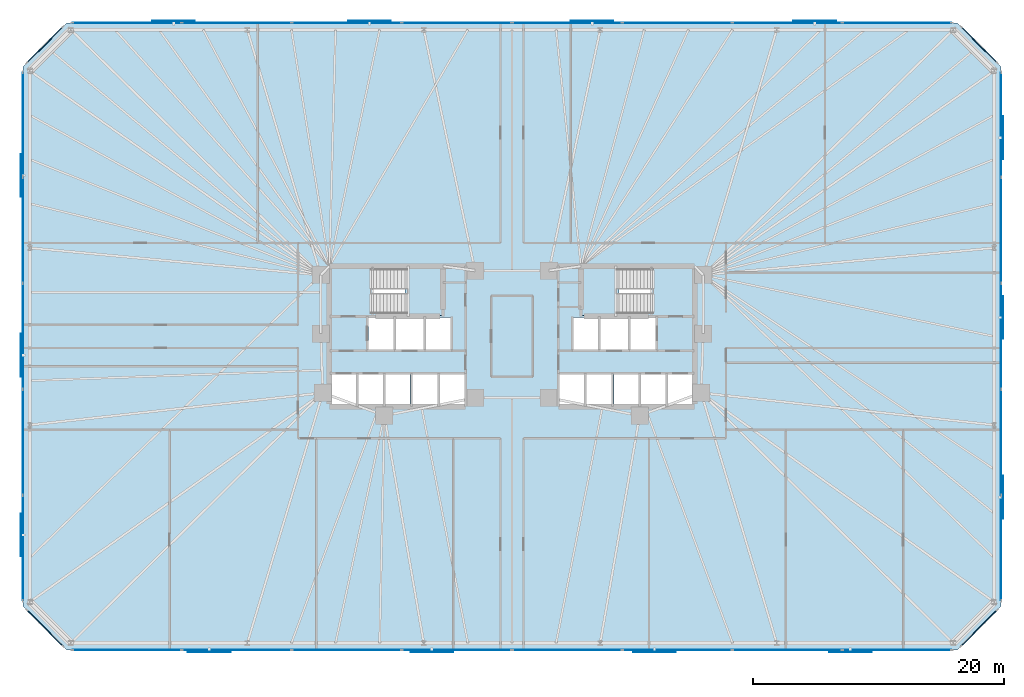
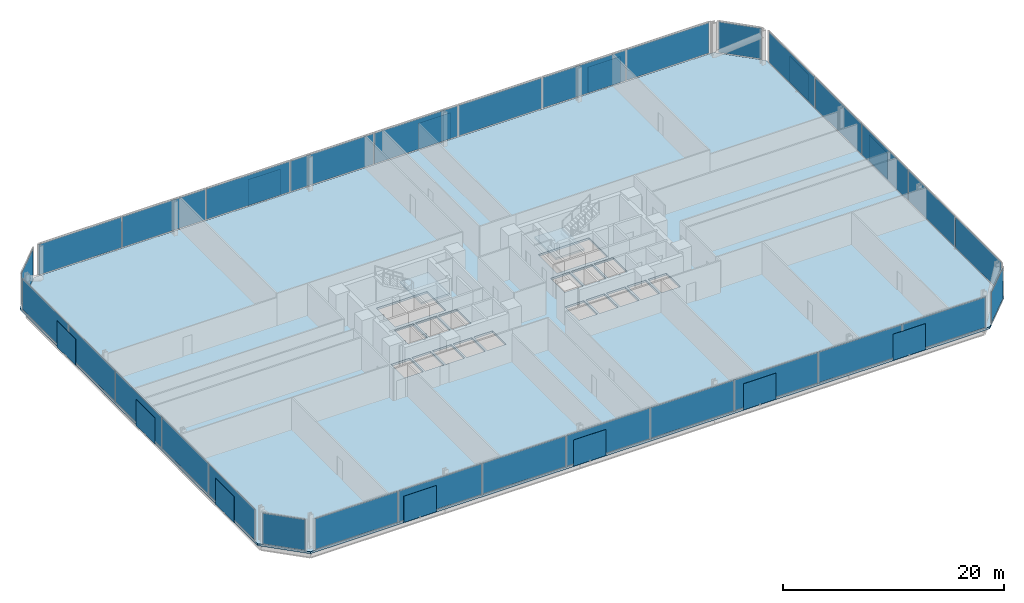
# One storey, part 11 of 17: 44 plates, 3 slabs, 10 elements without a shape of their own.
"""IFC4 building model written with IfcOpenShell, lengths in metres."""

from ifc_helpers import new_model, si_unit, direction, frame, origin, origin_2d, place, context, subcontext, project, spatial, polyline, rectangle, outline, extrude, material, layer, layer_set, type_object, element, aggregate, save


model = new_model("IFC4")

# Units and contexts
model_context = context("Model", 3, precision=1e-05, world=origin(), true_north=direction((0.0, 1.0)))
body_context = subcontext(model_context, "Body", "Model", "MODEL_VIEW")
ifc_project = project(units=[si_unit("LENGTHUNIT", "METRE"), si_unit("AREAUNIT", "SQUARE_METRE"), si_unit("VOLUMEUNIT", "CUBIC_METRE"), si_unit("PLANEANGLEUNIT", "RADIAN"), si_unit("MASSUNIT", "GRAM", prefix="KILO")], contexts=[model_context])

# Site, building, storey
site_placement = place(None, origin())
site = spatial("IfcSite", under=ifc_project, at=site_placement, CompositionType="ELEMENT")
building_placement = place(site_placement, origin())
building = spatial("IfcBuilding", under=site, at=building_placement, Name="Menara Jurai Vektor", CompositionType="ELEMENT")
storey_placement = place(building_placement, frame((0.0, 0.0, 56.0)))
storey = spatial("IfcBuildingStorey", under=building, at=storey_placement, Name="L13", CompositionType="ELEMENT", Elevation=56.0)

# Curtain wall, plates
ifc_material_1 = material(Name="Anodised Pale Aluminium & Low-E Double Glazing", Category="aluminium")
curtain_wall_type = type_object("IfcCurtainWallType", Name="CW-BLK1", PredefinedType="NOTDEFINED", material=ifc_material_1)
curtain_wall_1_placement = place(storey_placement, origin())
curtain_wall_1 = element("IfcCurtainWall", 1, at=curtain_wall_1_placement, inside=storey, type_object=curtain_wall_type, Name="Unitised Curtain Wall L13 F01", PredefinedType="NOTDEFINED")
ifc_material_2 = material(Name="Low-E Solar-Control Double Glazed Unit", Category="glass")
ifc_layer_1 = layer(ifc_material_2, 0.035888671875)
ifc_layer_set_1 = layer_set([ifc_layer_1], Name="Low-E Solar-Control Double Glazed Unit")
plate_type_1 = type_object("IfcPlateType", Name="CW-BLK1-PNL", PredefinedType="CURTAIN_PANEL", material=ifc_layer_set_1)
plate_1_placement = place(storey_placement, frame((-30.706298828125, -25.0, 0.09521484375), z_axis=(0.0, 0.0, 1.0), x_axis=(1.0, 0.0, 0.0)))
plate_1 = element("IfcPlate", 2, at=plate_1_placement, type_object=plate_type_1, Name="CW-01 panel 1.1", PredefinedType="CURTAIN_PANEL", context=body_context, shape_type="SweptSolid", body=[
    extrude(rectangle(XDim=8.637451171875, YDim=0.035888671875, at=origin_2d()), origin(), (0.0, 0.0, 1.0), 3.385009765625),
])
plate_2_placement = place(storey_placement, frame((-21.949951171875, -25.0, 0.09521484375), z_axis=(0.0, 0.0, 1.0), x_axis=(1.0, 0.0, 0.0)))
plate_2 = element("IfcPlate", 3, at=plate_2_placement, type_object=plate_type_1, Name="CW-01 panel 2.1", PredefinedType="CURTAIN_PANEL", context=body_context, shape_type="SweptSolid", body=[
    extrude(rectangle(XDim=8.68505859375, YDim=0.035888671875, at=origin_2d()), origin(), (0.0, 0.0, 1.0), 3.385009765625),
])
plate_3_placement = place(storey_placement, frame((-13.169921875, -25.0, 0.09521484375), z_axis=(0.0, 0.0, 1.0), x_axis=(1.0, 0.0, 0.0)))
plate_3 = element("IfcPlate", 4, at=plate_3_placement, type_object=plate_type_1, Name="CW-01 panel 3.1", PredefinedType="CURTAIN_PANEL", context=body_context, shape_type="SweptSolid", body=[
    extrude(rectangle(XDim=8.68505859375, YDim=0.035888671875, at=origin_2d()), origin(), (0.0, 0.0, 1.0), 3.385009765625),
])
plate_4_placement = place(storey_placement, frame((-4.389892578125, -25.0, 0.09521484375), z_axis=(0.0, 0.0, 1.0), x_axis=(1.0, 0.0, 0.0)))
plate_4 = element("IfcPlate", 5, at=plate_4_placement, type_object=plate_type_1, Name="CW-01 panel 4.1", PredefinedType="CURTAIN_PANEL", context=body_context, shape_type="SweptSolid", body=[
    extrude(rectangle(XDim=8.68505859375, YDim=0.035888671875, at=origin_2d()), origin(), (0.0, 0.0, 1.0), 3.385009765625),
])
plate_5_placement = place(storey_placement, frame((4.389892578125, -25.0, 0.09521484375), z_axis=(0.0, 0.0, 1.0), x_axis=(1.0, 0.0, 0.0)))
plate_5 = element("IfcPlate", 6, at=plate_5_placement, type_object=plate_type_1, Name="CW-01 panel 5.1", PredefinedType="CURTAIN_PANEL", context=body_context, shape_type="SweptSolid", body=[
    extrude(rectangle(XDim=8.68505859375, YDim=0.035888671875, at=origin_2d()), origin(), (0.0, 0.0, 1.0), 3.385009765625),
])
plate_6_placement = place(storey_placement, frame((13.169921875, -25.0, 0.09521484375), z_axis=(0.0, 0.0, 1.0), x_axis=(1.0, 0.0, 0.0)))
plate_6 = element("IfcPlate", 7, at=plate_6_placement, type_object=plate_type_1, Name="CW-01 panel 6.1", PredefinedType="CURTAIN_PANEL", context=body_context, shape_type="SweptSolid", body=[
    extrude(rectangle(XDim=8.68505859375, YDim=0.035888671875, at=origin_2d()), origin(), (0.0, 0.0, 1.0), 3.385009765625),
])
plate_7_placement = place(storey_placement, frame((21.949951171875, -25.0, 0.09521484375), z_axis=(0.0, 0.0, 1.0), x_axis=(1.0, 0.0, 0.0)))
plate_7 = element("IfcPlate", 8, at=plate_7_placement, type_object=plate_type_1, Name="CW-01 panel 7.1", PredefinedType="CURTAIN_PANEL", context=body_context, shape_type="SweptSolid", body=[
    extrude(rectangle(XDim=8.68505859375, YDim=0.035888671875, at=origin_2d()), origin(), (0.0, 0.0, 1.0), 3.385009765625),
])
plate_8_placement = place(storey_placement, frame((30.706298828125, -25.0, 0.09521484375), z_axis=(0.0, 0.0, 1.0), x_axis=(1.0, 0.0, 0.0)))
plate_8 = element("IfcPlate", 9, at=plate_8_placement, type_object=plate_type_1, Name="CW-01 panel 8.1", PredefinedType="CURTAIN_PANEL", context=body_context, shape_type="SweptSolid", body=[
    extrude(rectangle(XDim=8.637451171875, YDim=0.035888671875, at=origin_2d()), origin(), (0.0, 0.0, 1.0), 3.385009765625),
])
aggregate(curtain_wall_1, [plate_1, plate_2, plate_3, plate_4, plate_5, plate_6, plate_7, plate_8])

curtain_wall_2_placement = place(storey_placement, origin())
curtain_wall_2 = element("IfcCurtainWall", 10, at=curtain_wall_2_placement, inside=storey, type_object=curtain_wall_type, Name="Unitised Curtain Wall L13 F03", PredefinedType="NOTDEFINED")
plate_9_placement = place(storey_placement, frame((39.0, -16.872314453125, 0.09521484375), z_axis=(0.0, 0.0, 1.0), x_axis=(0.0, 1.0, 0.0)))
plate_9 = element("IfcPlate", 11, at=plate_9_placement, type_object=plate_type_1, Name="CW-01 panel 1.1", PredefinedType="CURTAIN_PANEL", context=body_context, shape_type="SweptSolid", body=[
    extrude(rectangle(XDim=8.305419921875, YDim=0.035888671875, at=origin_2d()), origin(), (0.0, 0.0, 1.0), 3.385009765625),
])
plate_10_placement = place(storey_placement, frame((39.0, -8.447998046875, 0.09521484375), z_axis=(0.0, 0.0, 1.0), x_axis=(0.0, 1.0, 0.0)))
plate_10 = element("IfcPlate", 12, at=plate_10_placement, type_object=plate_type_1, Name="CW-01 panel 2.1", PredefinedType="CURTAIN_PANEL", context=body_context, shape_type="SweptSolid", body=[
    extrude(rectangle(XDim=8.35302734375, YDim=0.035888671875, at=origin_2d()), origin(), (0.0, 0.0, 1.0), 3.385009765625),
])
plate_11_placement = place(storey_placement, frame((39.0, 0.0, 0.09521484375), z_axis=(0.0, 0.0, 1.0), x_axis=(0.0, 1.0, 0.0)))
plate_11 = element("IfcPlate", 13, at=plate_11_placement, type_object=plate_type_1, Name="CW-01 panel 3.1", PredefinedType="CURTAIN_PANEL", context=body_context, shape_type="SweptSolid", body=[
    extrude(rectangle(XDim=8.35302734375, YDim=0.035888671875, at=origin_2d()), origin(), (0.0, 0.0, 1.0), 3.385009765625),
])
plate_12_placement = place(storey_placement, frame((39.0, 8.447998046875, 0.09521484375), z_axis=(0.0, 0.0, 1.0), x_axis=(0.0, 1.0, 0.0)))
plate_12 = element("IfcPlate", 14, at=plate_12_placement, type_object=plate_type_1, Name="CW-01 panel 4.1", PredefinedType="CURTAIN_PANEL", context=body_context, shape_type="SweptSolid", body=[
    extrude(rectangle(XDim=8.35302734375, YDim=0.035888671875, at=origin_2d()), origin(), (0.0, 0.0, 1.0), 3.385009765625),
])
plate_13_placement = place(storey_placement, frame((39.0, 16.872314453125, 0.09521484375), z_axis=(0.0, 0.0, 1.0), x_axis=(0.0, 1.0, 0.0)))
plate_13 = element("IfcPlate", 15, at=plate_13_placement, type_object=plate_type_1, Name="CW-01 panel 5.1", PredefinedType="CURTAIN_PANEL", context=body_context, shape_type="SweptSolid", body=[
    extrude(rectangle(XDim=8.305419921875, YDim=0.035888671875, at=origin_2d()), origin(), (0.0, 0.0, 1.0), 3.385009765625),
])
aggregate(curtain_wall_2, [plate_9, plate_10, plate_11, plate_12, plate_13])

curtain_wall_3_placement = place(storey_placement, origin())
curtain_wall_3 = element("IfcCurtainWall", 16, at=curtain_wall_3_placement, inside=storey, type_object=curtain_wall_type, Name="Unitised Curtain Wall L13 F05", PredefinedType="NOTDEFINED")
plate_14_placement = place(storey_placement, frame((30.706298828125, 25.0, 0.09521484375), z_axis=(0.0, 0.0, 1.0), x_axis=(-1.0, 0.0, 0.0)))
plate_14 = element("IfcPlate", 17, at=plate_14_placement, type_object=plate_type_1, Name="CW-01 panel 1.1", PredefinedType="CURTAIN_PANEL", context=body_context, shape_type="SweptSolid", body=[
    extrude(rectangle(XDim=8.637451171875, YDim=0.035888671875, at=origin_2d()), origin(), (0.0, 0.0, 1.0), 3.385009765625),
])
plate_15_placement = place(storey_placement, frame((21.949951171875, 25.0, 0.09521484375), z_axis=(0.0, 0.0, 1.0), x_axis=(-1.0, 0.0, 0.0)))
plate_15 = element("IfcPlate", 18, at=plate_15_placement, type_object=plate_type_1, Name="CW-01 panel 2.1", PredefinedType="CURTAIN_PANEL", context=body_context, shape_type="SweptSolid", body=[
    extrude(rectangle(XDim=8.68505859375, YDim=0.035888671875, at=origin_2d()), origin(), (0.0, 0.0, 1.0), 3.385009765625),
])
plate_16_placement = place(storey_placement, frame((13.169921875, 25.0, 0.09521484375), z_axis=(0.0, 0.0, 1.0), x_axis=(-1.0, 0.0, 0.0)))
plate_16 = element("IfcPlate", 19, at=plate_16_placement, type_object=plate_type_1, Name="CW-01 panel 3.1", PredefinedType="CURTAIN_PANEL", context=body_context, shape_type="SweptSolid", body=[
    extrude(rectangle(XDim=8.68505859375, YDim=0.035888671875, at=origin_2d()), origin(), (0.0, 0.0, 1.0), 3.385009765625),
])
plate_17_placement = place(storey_placement, frame((4.389892578125, 25.0, 0.09521484375), z_axis=(0.0, 0.0, 1.0), x_axis=(-1.0, 0.0, 0.0)))
plate_17 = element("IfcPlate", 20, at=plate_17_placement, type_object=plate_type_1, Name="CW-01 panel 4.1", PredefinedType="CURTAIN_PANEL", context=body_context, shape_type="SweptSolid", body=[
    extrude(rectangle(XDim=8.68505859375, YDim=0.035888671875, at=origin_2d()), origin(), (0.0, 0.0, 1.0), 3.385009765625),
])
plate_18_placement = place(storey_placement, frame((-4.389892578125, 25.0, 0.09521484375), z_axis=(0.0, 0.0, 1.0), x_axis=(-1.0, 0.0, 0.0)))
plate_18 = element("IfcPlate", 21, at=plate_18_placement, type_object=plate_type_1, Name="CW-01 panel 5.1", PredefinedType="CURTAIN_PANEL", context=body_context, shape_type="SweptSolid", body=[
    extrude(rectangle(XDim=8.68505859375, YDim=0.035888671875, at=origin_2d()), origin(), (0.0, 0.0, 1.0), 3.385009765625),
])
plate_19_placement = place(storey_placement, frame((-13.169921875, 25.0, 0.09521484375), z_axis=(0.0, 0.0, 1.0), x_axis=(-1.0, 0.0, 0.0)))
plate_19 = element("IfcPlate", 22, at=plate_19_placement, type_object=plate_type_1, Name="CW-01 panel 6.1", PredefinedType="CURTAIN_PANEL", context=body_context, shape_type="SweptSolid", body=[
    extrude(rectangle(XDim=8.68505859375, YDim=0.035888671875, at=origin_2d()), origin(), (0.0, 0.0, 1.0), 3.385009765625),
])
plate_20_placement = place(storey_placement, frame((-21.949951171875, 25.0, 0.09521484375), z_axis=(0.0, 0.0, 1.0), x_axis=(-1.0, 0.0, 0.0)))
plate_20 = element("IfcPlate", 23, at=plate_20_placement, type_object=plate_type_1, Name="CW-01 panel 7.1", PredefinedType="CURTAIN_PANEL", context=body_context, shape_type="SweptSolid", body=[
    extrude(rectangle(XDim=8.68505859375, YDim=0.035888671875, at=origin_2d()), origin(), (0.0, 0.0, 1.0), 3.385009765625),
])
plate_21_placement = place(storey_placement, frame((-30.706298828125, 25.0, 0.09521484375), z_axis=(0.0, 0.0, 1.0), x_axis=(-1.0, 0.0, 0.0)))
plate_21 = element("IfcPlate", 24, at=plate_21_placement, type_object=plate_type_1, Name="CW-01 panel 8.1", PredefinedType="CURTAIN_PANEL", context=body_context, shape_type="SweptSolid", body=[
    extrude(rectangle(XDim=8.637451171875, YDim=0.035888671875, at=origin_2d()), origin(), (0.0, 0.0, 1.0), 3.385009765625),
])
aggregate(curtain_wall_3, [plate_14, plate_15, plate_16, plate_17, plate_18, plate_19, plate_20, plate_21])

curtain_wall_4_placement = place(storey_placement, origin())
curtain_wall_4 = element("IfcCurtainWall", 25, at=curtain_wall_4_placement, inside=storey, type_object=curtain_wall_type, Name="Unitised Curtain Wall L13 F07", PredefinedType="NOTDEFINED")
plate_22_placement = place(storey_placement, frame((-39.0, 16.872314453125, 0.09521484375), z_axis=(0.0, 0.0, 1.0), x_axis=(0.0, -1.0, 0.0)))
plate_22 = element("IfcPlate", 26, at=plate_22_placement, type_object=plate_type_1, Name="CW-01 panel 1.1", PredefinedType="CURTAIN_PANEL", context=body_context, shape_type="SweptSolid", body=[
    extrude(rectangle(XDim=8.305419921875, YDim=0.035888671875, at=origin_2d()), origin(), (0.0, 0.0, 1.0), 3.385009765625),
])
plate_23_placement = place(storey_placement, frame((-39.0, 8.447998046875, 0.09521484375), z_axis=(0.0, 0.0, 1.0), x_axis=(0.0, -1.0, 0.0)))
plate_23 = element("IfcPlate", 27, at=plate_23_placement, type_object=plate_type_1, Name="CW-01 panel 2.1", PredefinedType="CURTAIN_PANEL", context=body_context, shape_type="SweptSolid", body=[
    extrude(rectangle(XDim=8.35302734375, YDim=0.035888671875, at=origin_2d()), origin(), (0.0, 0.0, 1.0), 3.385009765625),
])
plate_24_placement = place(storey_placement, frame((-39.0, 0.0, 0.09521484375), z_axis=(0.0, 0.0, 1.0), x_axis=(0.0, -1.0, 0.0)))
plate_24 = element("IfcPlate", 28, at=plate_24_placement, type_object=plate_type_1, Name="CW-01 panel 3.1", PredefinedType="CURTAIN_PANEL", context=body_context, shape_type="SweptSolid", body=[
    extrude(rectangle(XDim=8.35302734375, YDim=0.035888671875, at=origin_2d()), origin(), (0.0, 0.0, 1.0), 3.385009765625),
])
plate_25_placement = place(storey_placement, frame((-39.0, -8.447998046875, 0.09521484375), z_axis=(0.0, 0.0, 1.0), x_axis=(0.0, -1.0, 0.0)))
plate_25 = element("IfcPlate", 29, at=plate_25_placement, type_object=plate_type_1, Name="CW-01 panel 4.1", PredefinedType="CURTAIN_PANEL", context=body_context, shape_type="SweptSolid", body=[
    extrude(rectangle(XDim=8.35302734375, YDim=0.035888671875, at=origin_2d()), origin(), (0.0, 0.0, 1.0), 3.385009765625),
])
plate_26_placement = place(storey_placement, frame((-39.0, -16.872314453125, 0.09521484375), z_axis=(0.0, 0.0, 1.0), x_axis=(0.0, -1.0, 0.0)))
plate_26 = element("IfcPlate", 30, at=plate_26_placement, type_object=plate_type_1, Name="CW-01 panel 5.1", PredefinedType="CURTAIN_PANEL", context=body_context, shape_type="SweptSolid", body=[
    extrude(rectangle(XDim=8.305419921875, YDim=0.035888671875, at=origin_2d()), origin(), (0.0, 0.0, 1.0), 3.385009765625),
])
aggregate(curtain_wall_4, [plate_22, plate_23, plate_24, plate_25, plate_26])

# Curtain wall, plate
curtain_wall_5_placement = place(storey_placement, origin())
curtain_wall_5 = element("IfcCurtainWall", 31, at=curtain_wall_5_placement, inside=storey, type_object=curtain_wall_type, Name="Unitised Curtain Wall L13 F02", PredefinedType="NOTDEFINED")
ifc_material_3 = material(Name="Insulated Pale Aluminium Spandrel Panel", Category="aluminium")
ifc_layer_2 = layer(ifc_material_3, 0.06005859375)
ifc_layer_set_2 = layer_set([ifc_layer_2], Name="Insulated Pale Aluminium Spandrel Panel")
plate_type_2 = type_object("IfcPlateType", Name="CW-PNL-SP", PredefinedType="CURTAIN_PANEL", material=ifc_layer_set_2)
plate_27_placement = place(storey_placement, frame((37.25, -23.25, 0.09521484375), z_axis=(0.0, 0.0, 1.0), x_axis=(0.707106781187, 0.707106781187, 0.0)))
plate_27 = element("IfcPlate", 32, at=plate_27_placement, type_object=plate_type_2, Name="CW-01 panel 1.1", PredefinedType="CURTAIN_PANEL", context=body_context, shape_type="SweptSolid", body=[
    extrude(rectangle(XDim=3.999755859375, YDim=0.06005859375, at=origin_2d()), origin(), (0.0, 0.0, 1.0), 3.385009765625),
])
aggregate(curtain_wall_5, [plate_27])

curtain_wall_6_placement = place(storey_placement, origin())
curtain_wall_6 = element("IfcCurtainWall", 33, at=curtain_wall_6_placement, inside=storey, type_object=curtain_wall_type, Name="Unitised Curtain Wall L13 F04", PredefinedType="NOTDEFINED")
plate_28_placement = place(storey_placement, frame((37.25, 23.25, 0.09521484375), z_axis=(0.0, 0.0, 1.0), x_axis=(-0.707106781187, 0.707106781187, 0.0)))
plate_28 = element("IfcPlate", 34, at=plate_28_placement, type_object=plate_type_2, Name="CW-01 panel 1.1", PredefinedType="CURTAIN_PANEL", context=body_context, shape_type="SweptSolid", body=[
    extrude(rectangle(XDim=3.999755859375, YDim=0.06005859375, at=origin_2d()), origin(), (0.0, 0.0, 1.0), 3.385009765625),
])
aggregate(curtain_wall_6, [plate_28])

curtain_wall_7_placement = place(storey_placement, origin())
curtain_wall_7 = element("IfcCurtainWall", 35, at=curtain_wall_7_placement, inside=storey, type_object=curtain_wall_type, Name="Unitised Curtain Wall L13 F06", PredefinedType="NOTDEFINED")
plate_29_placement = place(storey_placement, frame((-37.25, 23.25, 0.09521484375), z_axis=(0.0, 0.0, 1.0), x_axis=(-0.707106781187, -0.707106781187, 0.0)))
plate_29 = element("IfcPlate", 36, at=plate_29_placement, type_object=plate_type_2, Name="CW-01 panel 1.1", PredefinedType="CURTAIN_PANEL", context=body_context, shape_type="SweptSolid", body=[
    extrude(rectangle(XDim=3.999755859375, YDim=0.06005859375, at=origin_2d()), origin(), (0.0, 0.0, 1.0), 3.385009765625),
])
aggregate(curtain_wall_7, [plate_29])

curtain_wall_8_placement = place(storey_placement, origin())
curtain_wall_8 = element("IfcCurtainWall", 37, at=curtain_wall_8_placement, inside=storey, type_object=curtain_wall_type, Name="Unitised Curtain Wall L13 F08", PredefinedType="NOTDEFINED")
plate_30_placement = place(storey_placement, frame((-37.25, -23.25, 0.09521484375), z_axis=(0.0, 0.0, 1.0), x_axis=(0.707106781187, -0.707106781187, 0.0)))
plate_30 = element("IfcPlate", 38, at=plate_30_placement, type_object=plate_type_2, Name="CW-01 panel 1.1", PredefinedType="CURTAIN_PANEL", context=body_context, shape_type="SweptSolid", body=[
    extrude(rectangle(XDim=3.999755859375, YDim=0.06005859375, at=origin_2d()), origin(), (0.0, 0.0, 1.0), 3.385009765625),
])
aggregate(curtain_wall_8, [plate_30])

# Plates
ifc_material_4 = material(Name="Anodised Pale Aluminium Perforated Screen", Category="aluminium")
ifc_layer_3 = layer(ifc_material_4, 0.02392578125)
ifc_layer_set_3 = layer_set([ifc_layer_3], Name="Anodised Pale Aluminium Perforated Screen")
plate_type_3 = type_object("IfcPlateType", Name="ENV-PLT-SCREEN", PredefinedType="USERDEFINED", material=ifc_layer_set_3)
for number, where, z_axis, x_axis, name in (
    (39, (-24.139892578125, -25.159912109375, -0.050048828125), (0.0, 0.0, 1.0), (1.0, 0.0, 0.0), "Perforated Pale-Metal Solar Screen L13-S01"),
    (40, (-6.389892578125, -25.159912109375, -0.050048828125), (0.0, 0.0, 1.0), (1.0, 0.0, 0.0), "Perforated Pale-Metal Solar Screen L13-S02"),
    (41, (11.360107421875, -25.159912109375, -0.050048828125), (0.0, 0.0, 1.0), (1.0, 0.0, 0.0), "Perforated Pale-Metal Solar Screen L13-S03"),
    (42, (26.97998046875, -25.159912109375, -0.050048828125), (0.0, 0.0, 1.0), (1.0, 0.0, 0.0), "Perforated Pale-Metal Solar Screen L13-S04"),
    (43, (39.159912109375, -12.828369140625, -0.050048828125), (0.0, 0.0, 1.0), (0.0, 1.0, 0.0), "Perforated Pale-Metal Solar Screen L13-S05"),
    (44, (39.159912109375, 1.5048828125, -0.050048828125), (0.0, 0.0, 1.0), (0.0, 1.0, 0.0), "Perforated Pale-Metal Solar Screen L13-S06"),
    (45, (39.159912109375, 15.83837890625, -0.050048828125), (0.0, 0.0, 1.0), (0.0, 1.0, 0.0), "Perforated Pale-Metal Solar Screen L13-S07"),
    (46, (24.139892578125, 25.159912109375, -0.050048828125), (0.0, 0.0, 1.0), (-1.0, 0.0, 0.0), "Perforated Pale-Metal Solar Screen L13-S08"),
    (47, (6.389892578125, 25.159912109375, -0.050048828125), (0.0, 0.0, 1.0), (-1.0, 0.0, 0.0), "Perforated Pale-Metal Solar Screen L13-S09"),
    (48, (-11.360107421875, 25.159912109375, -0.050048828125), (0.0, 0.0, 1.0), (-1.0, 0.0, 0.0), "Perforated Pale-Metal Solar Screen L13-S10"),
    (49, (-26.97998046875, 25.159912109375, -0.050048828125), (0.0, 0.0, 1.0), (-1.0, 0.0, 0.0), "Perforated Pale-Metal Solar Screen L13-S11"),
    (50, (-39.159912109375, 12.828369140625, -0.050048828125), (0.0, 0.0, 1.0), (0.0, -1.0, 0.0), "Perforated Pale-Metal Solar Screen L13-S12"),
    (51, (-39.159912109375, -1.5048828125, -0.050048828125), (0.0, 0.0, 1.0), (0.0, -1.0, 0.0), "Perforated Pale-Metal Solar Screen L13-S13"),
    (52, (-39.159912109375, -15.83837890625, -0.050048828125), (0.0, 0.0, 1.0), (0.0, -1.0, 0.0), "Perforated Pale-Metal Solar Screen L13-S14"),
):
    element("IfcPlate", number, at=place(storey_placement, frame(where, z_axis=z_axis, x_axis=x_axis)), inside=storey, type_object=plate_type_3, Name=name, ObjectType="SCREEN", PredefinedType="USERDEFINED", context=body_context, shape_type="SweptSolid", body=[
        extrude(rectangle(XDim=3.39990234375, YDim=0.02392578125, at=origin_2d()), origin(), (0.0, 0.0, 1.0), 2.89990234375),
    ])

# Stair, slab
ifc_material_5 = material(Name="Concrete C40/50", Category="concrete")
stair_type = type_object("IfcStairType", Name="STAIR-DOGLEG-1500", PredefinedType="HALF_TURN_STAIR", material=ifc_material_5)
stair_1_placement = place(storey_placement, origin())
stair_1 = element("IfcStair", 53, at=stair_1_placement, inside=storey, type_object=stair_type, Name="Protected Exit Stair ST1 L13", PredefinedType="HALF_TURN_STAIR")
ifc_layer_4 = layer(ifc_material_5, 0.199951171875)
ifc_layer_set_4 = layer_set([ifc_layer_4], Name="Concrete C40/50")
slab_type_1 = type_object("IfcSlabType", Name="STAIR-LANDING-200", PredefinedType="LANDING", material=ifc_layer_set_4)
slab_1_placement = place(storey_placement, frame((0.0, 0.0, 1.699951171875)))
slab_1 = element("IfcSlab", 54, at=slab_1_placement, type_object=slab_type_1, Name="ST1 landing 1", PredefinedType="LANDING", context=body_context, shape_type="SweptSolid", body=[
    extrude(outline(polyline([(-8.52001953125, 1.64990234375), (-5.550048828125, 1.64990234375), (-5.550048828125, 5.550048828125), (-8.52001953125, 5.550048828125), (-8.52001953125, 1.64990234375)])), origin(), (0.0, 0.0, 1.0), 0.199951171875),
])
aggregate(stair_1, [slab_1])

stair_2_placement = place(storey_placement, origin())
stair_2 = element("IfcStair", 55, at=stair_2_placement, inside=storey, type_object=stair_type, Name="Protected Exit Stair ST2 L13", PredefinedType="HALF_TURN_STAIR")
slab_2_placement = place(storey_placement, frame((0.0, 0.0, 1.699951171875)))
slab_2 = element("IfcSlab", 56, at=slab_2_placement, type_object=slab_type_1, Name="ST2 landing 1", PredefinedType="LANDING", context=body_context, shape_type="SweptSolid", body=[
    extrude(outline(polyline([(5.550048828125, 1.64990234375), (8.52001953125, 1.64990234375), (8.52001953125, 5.550048828125), (5.550048828125, 5.550048828125), (5.550048828125, 1.64990234375)])), origin(), (0.0, 0.0, 1.0), 0.199951171875),
])
aggregate(stair_2, [slab_2])

# Slab
ifc_layer_5 = layer(ifc_material_5, 0.22509765625)
ifc_layer_set_5 = layer_set([ifc_layer_5], Name="Concrete C40/50")
slab_type_2 = type_object("IfcSlabType", Name="STR-SLAB-TYP200", PredefinedType="FLOOR", material=ifc_layer_set_5)
slab_3_placement = place(storey_placement, frame((0.0, 0.0, -0.22509765625)))
element("IfcSlab", 57, at=slab_3_placement, inside=storey, type_object=slab_type_2, Name="Composite Floor Slab L13", PredefinedType="FLOOR", context=body_context, shape_type="SweptSolid", body=[
    extrude(outline(polyline([(-35.5, -25.0), (35.5, -25.0), (39.0, -21.5), (39.0, 21.5), (35.5, 25.0), (-35.5, 25.0), (-39.0, 21.5), (-39.0, -21.5), (-35.5, -25.0)]), holes=[polyline([(-11.10009765625, 1.89990234375), (-11.10009765625, 5.300048828125), (-5.800048828125, 5.300048828125), (-5.800048828125, 1.89990234375), (-11.10009765625, 1.89990234375)]), polyline([(5.800048828125, 1.89990234375), (5.800048828125, 5.300048828125), (11.10009765625, 5.300048828125), (11.10009765625, 1.89990234375), (5.800048828125, 1.89990234375)]), polyline([(-11.449951171875, -1.050048828125), (-11.449951171875, 1.5), (-9.449951171875, 1.5), (-9.449951171875, -1.050048828125), (-11.449951171875, -1.050048828125)]), polyline([(9.449951171875, -1.050048828125), (9.449951171875, 1.5), (11.449951171875, 1.5), (11.449951171875, -1.050048828125), (9.449951171875, -1.050048828125)]), polyline([(-5.760009765625, -5.5), (-5.760009765625, -3.050048828125), (-3.800048828125, -3.050048828125), (-3.800048828125, -5.5), (-5.760009765625, -5.5)]), polyline([(-6.85009765625, -1.050048828125), (-6.85009765625, 1.5), (-4.889892578125, 1.5), (-4.889892578125, -1.050048828125), (-6.85009765625, -1.050048828125)]), polyline([(3.800048828125, -5.5), (3.800048828125, -3.050048828125), (5.760009765625, -3.050048828125), (5.760009765625, -5.5), (3.800048828125, -5.5)]), polyline([(4.889892578125, -1.050048828125), (4.889892578125, 1.5), (6.85009765625, 1.5), (6.85009765625, -1.050048828125), (4.889892578125, -1.050048828125)]), polyline([(-14.39990234375, -5.5), (-14.39990234375, -3.050048828125), (-12.43994140625, -3.050048828125), (-12.43994140625, -5.5), (-14.39990234375, -5.5)]), polyline([(-12.239990234375, -5.5), (-12.239990234375, -3.050048828125), (-10.280029296875, -3.050048828125), (-10.280029296875, -5.5), (-12.239990234375, -5.5)]), polyline([(10.280029296875, -5.5), (10.280029296875, -3.050048828125), (12.239990234375, -3.050048828125), (12.239990234375, -5.5), (10.280029296875, -5.5)]), polyline([(12.43994140625, -5.5), (12.43994140625, -3.050048828125), (14.39990234375, -3.050048828125), (14.39990234375, -5.5), (12.43994140625, -5.5)]), polyline([(-10.080078125, -5.5), (-10.080078125, -3.050048828125), (-8.1201171875, -3.050048828125), (-8.1201171875, -5.5), (-10.080078125, -5.5)]), polyline([(-7.919921875, -5.5), (-7.919921875, -3.050048828125), (-5.9599609375, -3.050048828125), (-5.9599609375, -5.5), (-7.919921875, -5.5)]), polyline([(5.9599609375, -5.5), (5.9599609375, -3.050048828125), (7.919921875, -3.050048828125), (7.919921875, -5.5), (5.9599609375, -5.5)]), polyline([(8.1201171875, -5.5), (8.1201171875, -3.050048828125), (10.080078125, -3.050048828125), (10.080078125, -5.5), (8.1201171875, -5.5)]), polyline([(-9.25, -1.050048828125), (-9.25, 1.5), (-7.050048828125, 1.5), (-7.050048828125, -1.050048828125), (-9.25, -1.050048828125)]), polyline([(7.050048828125, -1.050048828125), (7.050048828125, 1.5), (9.25, 1.5), (9.25, -1.050048828125), (7.050048828125, -1.050048828125)])]), origin(), (0.0, 0.0, 1.0), 0.22509765625),
])

save(model, "model.ifc")
